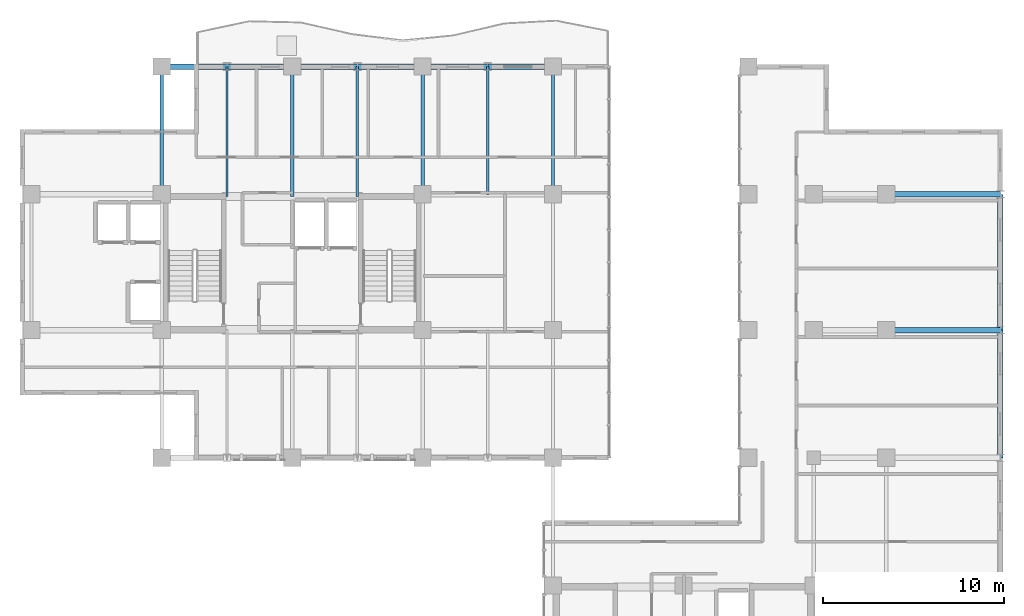
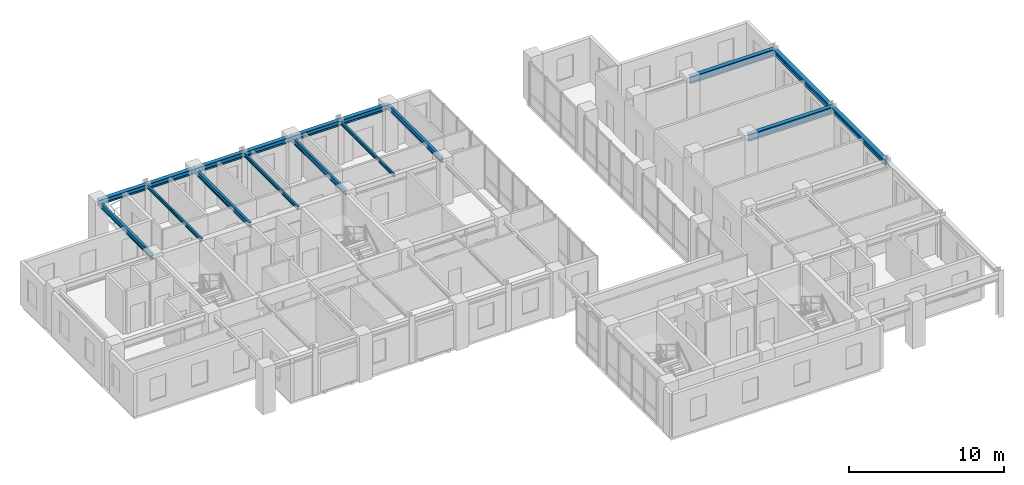
# One storey, part 13 of 24: 17 beams.
"""IFC4 building model written with IfcOpenShell, lengths in metres."""

from ifc_helpers import new_model, si_unit, direction, frame, origin, origin_2d, place, context, subcontext, project, spatial, i_section, extrude, source, transform, mapped, material, material_profile, profile_set, type_object, element, save


model = new_model("IFC4")

# Units and contexts
model_context = context("Model", 3, precision=1e-05, world=origin(), true_north=direction((0.0, 1.0)))
body_context = subcontext(model_context, "Body", "Model", "MODEL_VIEW")
ifc_project = project(units=[si_unit("LENGTHUNIT", "METRE"), si_unit("AREAUNIT", "SQUARE_METRE"), si_unit("VOLUMEUNIT", "CUBIC_METRE"), si_unit("PLANEANGLEUNIT", "RADIAN"), si_unit("MASSUNIT", "GRAM", prefix="KILO")], contexts=[model_context])

# Site, building, storey
site_placement = place(None, origin())
site = spatial("IfcSite", under=ifc_project, at=site_placement, CompositionType="ELEMENT")
building_placement = place(site_placement, origin())
building = spatial("IfcBuilding", under=site, at=building_placement, Name="Kaliganga Portal Commons", CompositionType="ELEMENT")
storey_placement = place(building_placement, frame((0.0, 0.0, 242.5)))
storey = spatial("IfcBuildingStorey", under=building, at=storey_placement, Name="L62", CompositionType="ELEMENT", Elevation=242.5)

# Beams
ifc_material = material(Name="Structural steel S355J2", Category="steel")
ifc_material_profile_1 = material_profile(ifc_material, i_section(OverallWidth=0.300048828125, OverallDepth=0.39990234375, WebThickness=0.013427734375, FlangeThickness=0.02392578125, FilletRadius=0.027099609375, at=origin_2d()), Name="HE 400 B")
ifc_profile_set_1 = profile_set([ifc_material_profile_1], Name="Structural steel S355J2 wide-flange")
beam_type_1 = type_object("IfcBeamType", Name="BM-SPAND-400", PredefinedType="SPANDREL", material=ifc_profile_set_1)
shared_shape_1 = source(origin(), body_context, "Body", "SweptSolid", [
    extrude(i_section(OverallWidth=0.300048828125, OverallDepth=0.39990234375, WebThickness=0.013427734375, FlangeThickness=0.02392578125, FilletRadius=0.027099609375, at=origin_2d()), origin(), (0.0, 0.0, 1.0), 3.60009765625),
])
for number, where, z_axis, x_axis, name in (
    (1, (14.39990234375, 43.199951171875, 3.239990234375), (1.0, 0.0, 0.0), (0.0, 1.0, 0.0), "BM SP L62 AN 1"),
    (2, (18.0, 43.199951171875, 3.239990234375), (1.0, 0.0, 0.0), (0.0, 1.0, 0.0), "BM SP L62 AN 2"),
    (3, (25.199951171875, 43.199951171875, 3.239990234375), (1.0, 0.0, 0.0), (0.0, 1.0, 0.0), "BM SP L62 AN 4"),
    (4, (32.39990234375, 43.199951171875, 3.239990234375), (1.0, 0.0, 0.0), (0.0, 1.0, 0.0), "BM SP L62 AN 6"),
):
    element("IfcBeam", number, at=place(storey_placement, frame(where, z_axis=z_axis, x_axis=x_axis)), inside=storey, type_object=beam_type_1, Name=name, PredefinedType="SPANDREL", context=body_context, shape_type="MappedRepresentation", body=[
        mapped(shared_shape_1, transform((0.0, 0.0, 0.0), x_axis=(1.0, 0.0, 0.0), y_axis=(0.0, 1.0, 0.0), z_axis=(0.0, 0.0, 1.0), scale=1.0)),
    ])
shared_shape_2 = source(origin(), body_context, "Body", "SweptSolid", [
    extrude(i_section(OverallWidth=0.300048828125, OverallDepth=0.39990234375, WebThickness=0.013427734375, FlangeThickness=0.02392578125, FilletRadius=0.027099609375, at=origin_2d()), origin(), (0.0, 0.0, 1.0), 3.599853515625),
])
for number, where, z_axis, x_axis, name in (
    (5, (21.60009765625, 43.199951171875, 3.239990234375), (1.0, 0.0, 0.0), (0.0, 1.0, 0.0), "BM SP L62 AN 3"),
    (6, (28.800048828125, 43.199951171875, 3.239990234375), (1.0, 0.0, 0.0), (0.0, 1.0, 0.0), "BM SP L62 AN 5"),
):
    element("IfcBeam", number, at=place(storey_placement, frame(where, z_axis=z_axis, x_axis=x_axis)), inside=storey, type_object=beam_type_1, Name=name, PredefinedType="SPANDREL", context=body_context, shape_type="MappedRepresentation", body=[
        mapped(shared_shape_2, transform((0.0, 0.0, 0.0), x_axis=(1.0, 0.0, 0.0), y_axis=(0.0, 1.0, 0.0), z_axis=(0.0, 0.0, 1.0), scale=1.0)),
    ])
ifc_material_profile_2 = material_profile(ifc_material, i_section(OverallWidth=0.300048828125, OverallDepth=0.550048828125, WebThickness=0.014892578125, FlangeThickness=0.029052734375, FilletRadius=0.027099609375, at=origin_2d()), Name="HE 550 B")
ifc_profile_set_2 = profile_set([ifc_material_profile_2], Name="Structural steel S355J2 wide-flange")
beam_type_2 = type_object("IfcBeamType", Name="BM-GIRD-550", PredefinedType="USERDEFINED", material=ifc_profile_set_2)
shared_shape_3 = source(origin(), body_context, "Body", "SweptSolid", [
    extrude(i_section(OverallWidth=0.300048828125, OverallDepth=0.550048828125, WebThickness=0.014892578125, FlangeThickness=0.029052734375, FilletRadius=0.027099609375, at=origin_2d()), origin(), (0.0, 0.0, 1.0), 6.300048828125),
])
for number, where, z_axis, x_axis, name in (
    (7, (54.39990234375, 28.64990234375, 3.1650390625), (1.0, 0.0, 0.0), (0.0, 1.0, 0.0), "BM G L62 BKE286 2"),
    (8, (54.39990234375, 36.14990234375, 3.1650390625), (1.0, 0.0, 0.0), (0.0, 1.0, 0.0), "BM G L62 BKE362 2"),
):
    element("IfcBeam", number, at=place(storey_placement, frame(where, z_axis=z_axis, x_axis=x_axis)), inside=storey, type_object=beam_type_2, Name=name, ObjectType="GIRDER", PredefinedType="USERDEFINED", context=body_context, shape_type="MappedRepresentation", body=[
        mapped(shared_shape_3, transform((0.0, 0.0, 0.0), x_axis=(1.0, 0.0, 0.0), y_axis=(0.0, 1.0, 0.0), z_axis=(0.0, 0.0, 1.0), scale=1.0)),
    ])
shared_shape_4 = source(origin(), body_context, "Body", "SweptSolid", [
    extrude(i_section(OverallWidth=0.300048828125, OverallDepth=0.39990234375, WebThickness=0.013427734375, FlangeThickness=0.02392578125, FilletRadius=0.027099609375, at=origin_2d()), origin(), (0.0, 0.0, 1.0), 7.5),
])
beam_1_placement = place(storey_placement, frame((60.699951171875, 28.64990234375, 3.239990234375), z_axis=(0.0, 1.0, 0.0), x_axis=(-1.0, 0.0, 0.0)))
element("IfcBeam", 9, at=beam_1_placement, inside=storey, type_object=beam_type_1, Name="BM SP L62 BE 4", PredefinedType="SPANDREL", context=body_context, shape_type="MappedRepresentation", body=[
    mapped(shared_shape_4, transform((0.0, 0.0, 0.0), x_axis=(1.0, 0.0, 0.0), y_axis=(0.0, 1.0, 0.0), z_axis=(0.0, 0.0, 1.0), scale=1.0)),
])
shared_shape_5 = source(origin(), body_context, "Body", "SweptSolid", [
    extrude(i_section(OverallWidth=0.300048828125, OverallDepth=0.39990234375, WebThickness=0.013427734375, FlangeThickness=0.02392578125, FilletRadius=0.027099609375, at=origin_2d()), origin(), (0.0, 0.0, 1.0), 7.0498046875),
])
beam_2_placement = place(storey_placement, frame((60.699951171875, 21.60009765625, 3.239990234375), z_axis=(0.0, 1.0, 0.0), x_axis=(-1.0, 0.0, 0.0)))
element("IfcBeam", 10, at=beam_2_placement, inside=storey, type_object=beam_type_1, Name="BM SP L62 BE 3", PredefinedType="SPANDREL", context=body_context, shape_type="MappedRepresentation", body=[
    mapped(shared_shape_5, transform((0.0, 0.0, 0.0), x_axis=(1.0, 0.0, 0.0), y_axis=(0.0, 1.0, 0.0), z_axis=(0.0, 0.0, 1.0), scale=1.0)),
])
ifc_material_profile_3 = material_profile(ifc_material, i_section(OverallWidth=0.135009765625, OverallDepth=0.27001953125, WebThickness=0.006591796875, FlangeThickness=0.01025390625, FilletRadius=0.014892578125, at=origin_2d()), Name="IPE 270")
ifc_profile_set_3 = profile_set([ifc_material_profile_3], Name="Structural steel S355J2 wide-flange")
beam_type_3 = type_object("IfcBeamType", Name="BM-JST-270", PredefinedType="JOIST", material=ifc_profile_set_3)
shared_shape_6 = source(origin(), body_context, "Body", "SweptSolid", [
    extrude(i_section(OverallWidth=0.135009765625, OverallDepth=0.27001953125, WebThickness=0.006591796875, FlangeThickness=0.01025390625, FilletRadius=0.014892578125, at=origin_2d()), origin(), (0.0, 0.0, 1.0), 7.175048828125),
])
for number, where, z_axis, x_axis, name in (
    (11, (18.0, 36.02490234375, 3.304931640625), (0.0, 1.0, 0.0), (-1.0, 0.0, 0.0), "BM G L62 AN180"),
    (12, (25.199951171875, 36.02490234375, 3.304931640625), (0.0, 1.0, 0.0), (-1.0, 0.0, 0.0), "BM G L62 AN252"),
):
    element("IfcBeam", number, at=place(storey_placement, frame(where, z_axis=z_axis, x_axis=x_axis)), inside=storey, type_object=beam_type_3, Name=name, PredefinedType="JOIST", context=body_context, shape_type="MappedRepresentation", body=[
        mapped(shared_shape_6, transform((0.0, 0.0, 0.0), x_axis=(1.0, 0.0, 0.0), y_axis=(0.0, 1.0, 0.0), z_axis=(0.0, 0.0, 1.0), scale=1.0)),
    ])
shared_shape_7 = source(origin(), body_context, "Body", "SweptSolid", [
    extrude(i_section(OverallWidth=0.135009765625, OverallDepth=0.27001953125, WebThickness=0.006591796875, FlangeThickness=0.01025390625, FilletRadius=0.014892578125, at=origin_2d()), origin(), (0.0, 0.0, 1.0), 7.050048828125),
])
beam_3_placement = place(storey_placement, frame((32.39990234375, 36.14990234375, 3.304931640625), z_axis=(0.0, 1.0, 0.0), x_axis=(-1.0, 0.0, 0.0)))
element("IfcBeam", 13, at=beam_3_placement, inside=storey, type_object=beam_type_3, Name="BM G L62 AN324", PredefinedType="JOIST", context=body_context, shape_type="MappedRepresentation", body=[
    mapped(shared_shape_7, transform((0.0, 0.0, 0.0), x_axis=(1.0, 0.0, 0.0), y_axis=(0.0, 1.0, 0.0), z_axis=(0.0, 0.0, 1.0), scale=1.0)),
])
ifc_material_profile_4 = material_profile(ifc_material, i_section(OverallWidth=0.179931640625, OverallDepth=0.39990234375, WebThickness=0.008544921875, FlangeThickness=0.013427734375, FilletRadius=0.02099609375, at=origin_2d()), Name="IPE 400")
ifc_profile_set_4 = profile_set([ifc_material_profile_4], Name="Structural steel S355J2 wide-flange")
beam_type_4 = type_object("IfcBeamType", Name="BM-FLR-400", PredefinedType="BEAM", material=ifc_profile_set_4)
shared_shape_8 = source(origin(), body_context, "Body", "SweptSolid", [
    extrude(i_section(OverallWidth=0.179931640625, OverallDepth=0.39990234375, WebThickness=0.008544921875, FlangeThickness=0.013427734375, FilletRadius=0.02099609375, at=origin_2d()), origin(), (0.0, 0.0, 1.0), 7.050048828125),
])
for number, where, z_axis, x_axis, name in (
    (14, (14.39990234375, 36.14990234375, 3.239990234375), (0.0, 1.0, 0.0), (-1.0, 0.0, 0.0), "BM G L62 AN144"),
    (15, (28.800048828125, 36.14990234375, 3.239990234375), (0.0, 1.0, 0.0), (-1.0, 0.0, 0.0), "BM G L62 AN288"),
    (16, (36.0, 36.14990234375, 3.239990234375), (0.0, 1.0, 0.0), (-1.0, 0.0, 0.0), "BM G L62 AN360"),
):
    element("IfcBeam", number, at=place(storey_placement, frame(where, z_axis=z_axis, x_axis=x_axis)), inside=storey, type_object=beam_type_4, Name=name, PredefinedType="BEAM", context=body_context, shape_type="MappedRepresentation", body=[
        mapped(shared_shape_8, transform((0.0, 0.0, 0.0), x_axis=(1.0, 0.0, 0.0), y_axis=(0.0, 1.0, 0.0), z_axis=(0.0, 0.0, 1.0), scale=1.0)),
    ])
shared_shape_9 = source(origin(), body_context, "Body", "SweptSolid", [
    extrude(i_section(OverallWidth=0.179931640625, OverallDepth=0.39990234375, WebThickness=0.008544921875, FlangeThickness=0.013427734375, FilletRadius=0.02099609375, at=origin_2d()), origin(), (0.0, 0.0, 1.0), 7.175048828125),
])
beam_4_placement = place(storey_placement, frame((21.60009765625, 36.02490234375, 3.239990234375), z_axis=(0.0, 1.0, 0.0), x_axis=(-1.0, 0.0, 0.0)))
element("IfcBeam", 17, at=beam_4_placement, inside=storey, type_object=beam_type_4, Name="BM G L62 AN216", PredefinedType="BEAM", context=body_context, shape_type="MappedRepresentation", body=[
    mapped(shared_shape_9, transform((0.0, 0.0, 0.0), x_axis=(1.0, 0.0, 0.0), y_axis=(0.0, 1.0, 0.0), z_axis=(0.0, 0.0, 1.0), scale=1.0)),
])

save(model, "model.ifc")
